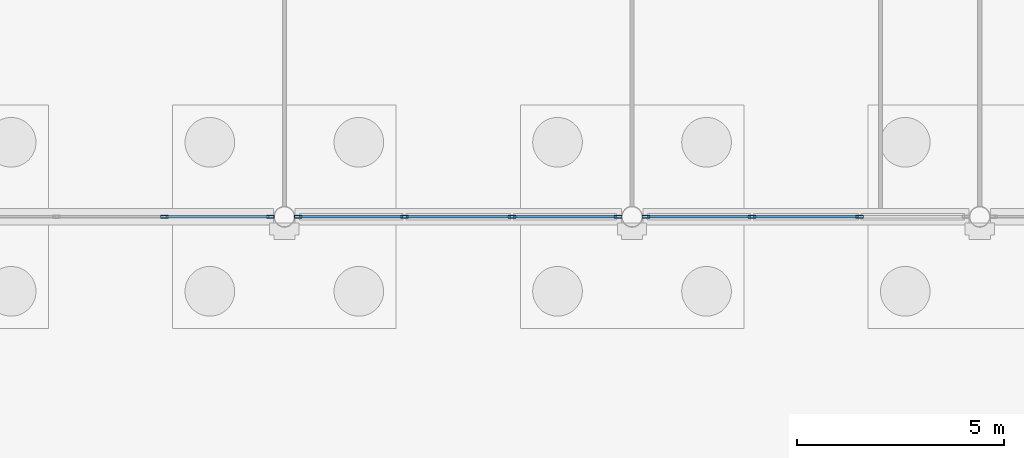
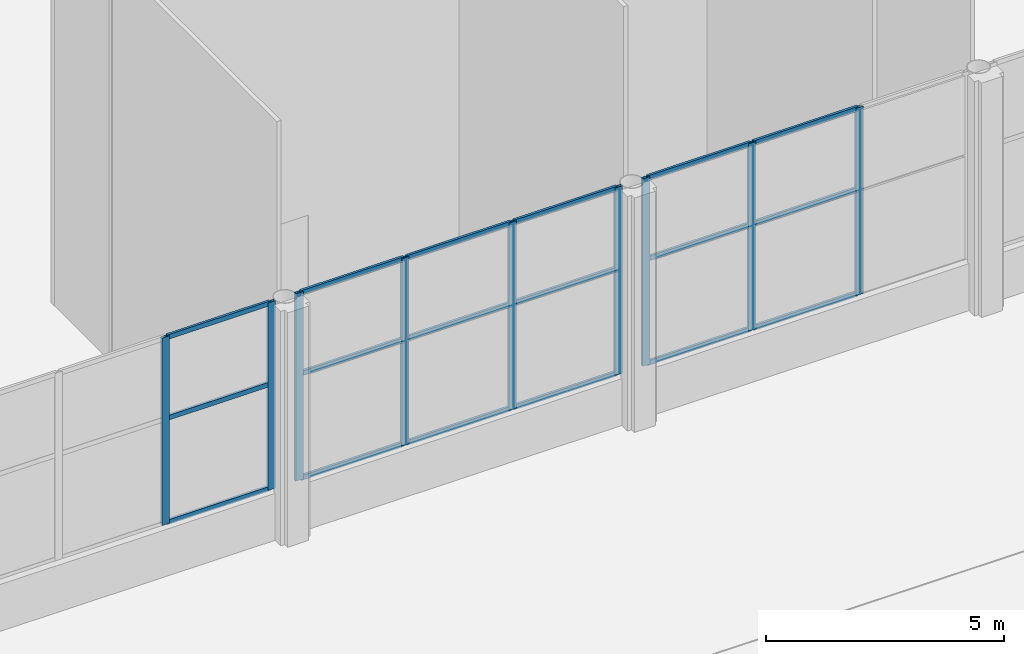
# One storey, part 95 of 212: 27 members, 3 elements without a shape of their own.
"""IFC4 building model written with IfcOpenShell, lengths in metres."""

from ifc_helpers import new_model, si_unit, direction, frame, origin, origin_2d, place, context, subcontext, project, spatial, hollow_rectangle, extrude, material, material_profile, profile_set, type_object, element, aggregate, save


model = new_model("IFC4")

# Units and contexts
model_context = context("Model", 3, precision=1e-05, world=origin(), true_north=direction((0.0, 1.0)))
body_context = subcontext(model_context, "Body", "Model", "MODEL_VIEW")
ifc_project = project(units=[si_unit("LENGTHUNIT", "METRE"), si_unit("AREAUNIT", "SQUARE_METRE"), si_unit("VOLUMEUNIT", "CUBIC_METRE"), si_unit("PLANEANGLEUNIT", "RADIAN"), si_unit("MASSUNIT", "GRAM", prefix="KILO")], contexts=[model_context])

# Site, building, storey
site_placement = place(None, origin())
site = spatial("IfcSite", under=ifc_project, at=site_placement, CompositionType="ELEMENT")
building_placement = place(site_placement, origin())
building = spatial("IfcBuilding", under=site, at=building_placement, Name="Catenary Quay Ferry Terminal", CompositionType="ELEMENT")
storey_placement = place(building_placement, origin())
storey = spatial("IfcBuildingStorey", under=building, at=storey_placement, Name="L00", CompositionType="ELEMENT", Elevation=0.0)

# Curtain wall, members
ifc_material_1 = material(Name="Aluminium and glass", Category="aluminium")
curtain_wall_type_1 = type_object("IfcCurtainWallType", Name="CWH", PredefinedType="NOTDEFINED", material=ifc_material_1)
curtain_wall_1_placement = place(storey_placement, origin())
curtain_wall_1 = element("IfcCurtainWall", 1, at=curtain_wall_1_placement, inside=storey, type_object=curtain_wall_type_1, Name="Hall curtain wall CW22", PredefinedType="NOTDEFINED")
ifc_material_2 = material(Name="Aluminium", Category="aluminium")
ifc_material_profile_1 = material_profile(ifc_material_2, hollow_rectangle(XDim=0.070068359375, YDim=0.179931640625, WallThickness=0.006103515625, at=origin_2d()), Name="MU3")
ifc_profile_set_1 = profile_set([ifc_material_profile_1], Name="Aluminium")
member_type_1 = type_object("IfcMemberType", Name="MU3", PredefinedType="MULLION", material=ifc_profile_set_1)
member_1_placement = place(storey_placement, frame((30.699951171875, 67.199951171875, 1.199951171875), z_axis=(0.0, 0.0, 1.0), x_axis=(0.0, 1.0, 0.0)))
member_1 = element("IfcMember", 2, at=member_1_placement, type_object=member_type_1, Name="CW22 mullion 3", PredefinedType="MULLION", context=body_context, shape_type="SweptSolid", body=[
    extrude(hollow_rectangle(XDim=0.070068359375, YDim=0.179931640625, WallThickness=0.006103515625, at=origin_2d()), origin(), (0.0, 0.0, 1.0), 4.800048828125),
])
member_2_placement = place(storey_placement, frame((33.264892578125, 67.199951171875, 1.199951171875), z_axis=(0.0, 0.0, 1.0), x_axis=(0.0, 1.0, 0.0)))
member_2 = element("IfcMember", 3, at=member_2_placement, type_object=member_type_1, Name="CW22 mullion 4", PredefinedType="MULLION", context=body_context, shape_type="SweptSolid", body=[
    extrude(hollow_rectangle(XDim=0.070068359375, YDim=0.179931640625, WallThickness=0.006103515625, at=origin_2d()), origin(), (0.0, 0.0, 1.0), 4.800048828125),
])

ifc_material_3 = material(Name="Aluminium and glass", Category="aluminium")
curtain_wall_type_2 = type_object("IfcCurtainWallType", Name="CWW4", PredefinedType="NOTDEFINED", material=ifc_material_3)
curtain_wall_2_placement = place(storey_placement, origin())
curtain_wall_2 = element("IfcCurtainWall", 4, at=curtain_wall_2_placement, inside=storey, type_object=curtain_wall_type_2, Name="Hall curtain wall CW23", PredefinedType="NOTDEFINED")
member_3_placement = place(storey_placement, frame((33.93505859375, 67.199951171875, 1.199951171875), z_axis=(0.0, 0.0, 1.0), x_axis=(0.0, 1.0, 0.0)))
member_3 = element("IfcMember", 5, at=member_3_placement, type_object=member_type_1, Name="CW23 mullion 1", PredefinedType="MULLION", context=body_context, shape_type="SweptSolid", body=[
    extrude(hollow_rectangle(XDim=0.070068359375, YDim=0.179931640625, WallThickness=0.006103515625, at=origin_2d()), origin(), (0.0, 0.0, 1.0), 4.800048828125),
])
member_4_placement = place(storey_placement, frame((36.5, 67.199951171875, 1.199951171875), z_axis=(0.0, 0.0, 1.0), x_axis=(0.0, 1.0, 0.0)))
member_4 = element("IfcMember", 6, at=member_4_placement, type_object=member_type_1, Name="CW23 mullion 2", PredefinedType="MULLION", context=body_context, shape_type="SweptSolid", body=[
    extrude(hollow_rectangle(XDim=0.070068359375, YDim=0.179931640625, WallThickness=0.006103515625, at=origin_2d()), origin(), (0.0, 0.0, 1.0), 4.800048828125),
])
member_5_placement = place(storey_placement, frame((39.10009765625, 67.199951171875, 1.199951171875), z_axis=(0.0, 0.0, 1.0), x_axis=(0.0, 1.0, 0.0)))
member_5 = element("IfcMember", 7, at=member_5_placement, type_object=member_type_1, Name="CW23 mullion 3", PredefinedType="MULLION", context=body_context, shape_type="SweptSolid", body=[
    extrude(hollow_rectangle(XDim=0.070068359375, YDim=0.179931640625, WallThickness=0.006103515625, at=origin_2d()), origin(), (0.0, 0.0, 1.0), 4.800048828125),
])
member_6_placement = place(storey_placement, frame((41.6650390625, 67.199951171875, 1.199951171875), z_axis=(0.0, 0.0, 1.0), x_axis=(0.0, 1.0, 0.0)))
member_6 = element("IfcMember", 8, at=member_6_placement, type_object=member_type_1, Name="CW23 mullion 4", PredefinedType="MULLION", context=body_context, shape_type="SweptSolid", body=[
    extrude(hollow_rectangle(XDim=0.070068359375, YDim=0.179931640625, WallThickness=0.006103515625, at=origin_2d()), origin(), (0.0, 0.0, 1.0), 4.800048828125),
])

curtain_wall_3_placement = place(storey_placement, origin())
curtain_wall_3 = element("IfcCurtainWall", 9, at=curtain_wall_3_placement, inside=storey, type_object=curtain_wall_type_2, Name="Hall curtain wall CW24", PredefinedType="NOTDEFINED")
member_7_placement = place(storey_placement, frame((42.3349609375, 67.199951171875, 1.199951171875), z_axis=(0.0, 0.0, 1.0), x_axis=(0.0, 1.0, 0.0)))
member_7 = element("IfcMember", 10, at=member_7_placement, type_object=member_type_1, Name="CW24 mullion 1", PredefinedType="MULLION", context=body_context, shape_type="SweptSolid", body=[
    extrude(hollow_rectangle(XDim=0.070068359375, YDim=0.179931640625, WallThickness=0.006103515625, at=origin_2d()), origin(), (0.0, 0.0, 1.0), 4.800048828125),
])
member_8_placement = place(storey_placement, frame((44.89990234375, 67.199951171875, 1.199951171875), z_axis=(0.0, 0.0, 1.0), x_axis=(0.0, 1.0, 0.0)))
member_8 = element("IfcMember", 11, at=member_8_placement, type_object=member_type_1, Name="CW24 mullion 2", PredefinedType="MULLION", context=body_context, shape_type="SweptSolid", body=[
    extrude(hollow_rectangle(XDim=0.070068359375, YDim=0.179931640625, WallThickness=0.006103515625, at=origin_2d()), origin(), (0.0, 0.0, 1.0), 4.800048828125),
])
member_9_placement = place(storey_placement, frame((47.5, 67.199951171875, 1.199951171875), z_axis=(0.0, 0.0, 1.0), x_axis=(0.0, 1.0, 0.0)))
member_9 = element("IfcMember", 12, at=member_9_placement, type_object=member_type_1, Name="CW24 mullion 3", PredefinedType="MULLION", context=body_context, shape_type="SweptSolid", body=[
    extrude(hollow_rectangle(XDim=0.070068359375, YDim=0.179931640625, WallThickness=0.006103515625, at=origin_2d()), origin(), (0.0, 0.0, 1.0), 4.800048828125),
])

# Member
ifc_material_4 = material(Name="Aluminium", Category="aluminium")
ifc_material_profile_2 = material_profile(ifc_material_4, hollow_rectangle(XDim=0.06005859375, YDim=0.1201171875, WallThickness=0.0048828125, at=origin_2d()), Name="TR3")
ifc_profile_set_2 = profile_set([ifc_material_profile_2], Name="Aluminium")
member_type_2 = type_object("IfcMemberType", Name="TR3", PredefinedType="USERDEFINED", material=ifc_profile_set_2)
member_10_placement = place(storey_placement, frame((30.735107421875, 67.199951171875, 1.22998046875), z_axis=(1.0, 0.0, 0.0), x_axis=(0.0, 1.0, 0.0)))
member_10 = element("IfcMember", 13, at=member_10_placement, type_object=member_type_2, Name="CW22 transom 3.1", ObjectType="TRANSOM", PredefinedType="USERDEFINED", context=body_context, shape_type="SweptSolid", body=[
    extrude(hollow_rectangle(XDim=0.06005859375, YDim=0.1201171875, WallThickness=0.0048828125, at=origin_2d()), origin(), (0.0, 0.0, 1.0), 2.494873046875),
])

member_11_placement = place(storey_placement, frame((30.735107421875, 67.199951171875, 3.89990234375), z_axis=(1.0, 0.0, 0.0), x_axis=(0.0, 1.0, 0.0)))
member_11 = element("IfcMember", 14, at=member_11_placement, type_object=member_type_2, Name="CW22 transom 3.2", ObjectType="TRANSOM", PredefinedType="USERDEFINED", context=body_context, shape_type="SweptSolid", body=[
    extrude(hollow_rectangle(XDim=0.06005859375, YDim=0.1201171875, WallThickness=0.0048828125, at=origin_2d()), origin(), (0.0, 0.0, 1.0), 2.494873046875),
])

member_12_placement = place(storey_placement, frame((30.735107421875, 67.199951171875, 5.969970703125), z_axis=(1.0, 0.0, 0.0), x_axis=(0.0, 1.0, 0.0)))
member_12 = element("IfcMember", 15, at=member_12_placement, type_object=member_type_2, Name="CW22 transom 3.3", ObjectType="TRANSOM", PredefinedType="USERDEFINED", context=body_context, shape_type="SweptSolid", body=[
    extrude(hollow_rectangle(XDim=0.06005859375, YDim=0.1201171875, WallThickness=0.0048828125, at=origin_2d()), origin(), (0.0, 0.0, 1.0), 2.494873046875),
])

aggregate(curtain_wall_1, [member_1, member_2, member_10, member_11, member_12])

member_13_placement = place(storey_placement, frame((33.969970703125, 67.199951171875, 1.22998046875), z_axis=(1.0, 0.0, 0.0), x_axis=(0.0, 1.0, 0.0)))
member_13 = element("IfcMember", 16, at=member_13_placement, type_object=member_type_2, Name="CW23 transom 1.1", ObjectType="TRANSOM", PredefinedType="USERDEFINED", context=body_context, shape_type="SweptSolid", body=[
    extrude(hollow_rectangle(XDim=0.06005859375, YDim=0.1201171875, WallThickness=0.0048828125, at=origin_2d()), origin(), (0.0, 0.0, 1.0), 2.4951171875),
])

member_14_placement = place(storey_placement, frame((33.969970703125, 67.199951171875, 3.89990234375), z_axis=(1.0, 0.0, 0.0), x_axis=(0.0, 1.0, 0.0)))
member_14 = element("IfcMember", 17, at=member_14_placement, type_object=member_type_2, Name="CW23 transom 1.2", ObjectType="TRANSOM", PredefinedType="USERDEFINED", context=body_context, shape_type="SweptSolid", body=[
    extrude(hollow_rectangle(XDim=0.06005859375, YDim=0.1201171875, WallThickness=0.0048828125, at=origin_2d()), origin(), (0.0, 0.0, 1.0), 2.4951171875),
])

member_15_placement = place(storey_placement, frame((33.969970703125, 67.199951171875, 5.969970703125), z_axis=(1.0, 0.0, 0.0), x_axis=(0.0, 1.0, 0.0)))
member_15 = element("IfcMember", 18, at=member_15_placement, type_object=member_type_2, Name="CW23 transom 1.3", ObjectType="TRANSOM", PredefinedType="USERDEFINED", context=body_context, shape_type="SweptSolid", body=[
    extrude(hollow_rectangle(XDim=0.06005859375, YDim=0.1201171875, WallThickness=0.0048828125, at=origin_2d()), origin(), (0.0, 0.0, 1.0), 2.4951171875),
])

member_16_placement = place(storey_placement, frame((36.534912109375, 67.199951171875, 1.22998046875), z_axis=(1.0, 0.0, 0.0), x_axis=(0.0, 1.0, 0.0)))
member_16 = element("IfcMember", 19, at=member_16_placement, type_object=member_type_2, Name="CW23 transom 2.1", ObjectType="TRANSOM", PredefinedType="USERDEFINED", context=body_context, shape_type="SweptSolid", body=[
    extrude(hollow_rectangle(XDim=0.06005859375, YDim=0.1201171875, WallThickness=0.0048828125, at=origin_2d()), origin(), (0.0, 0.0, 1.0), 2.530029296875),
])

member_17_placement = place(storey_placement, frame((36.534912109375, 67.199951171875, 3.89990234375), z_axis=(1.0, 0.0, 0.0), x_axis=(0.0, 1.0, 0.0)))
member_17 = element("IfcMember", 20, at=member_17_placement, type_object=member_type_2, Name="CW23 transom 2.2", ObjectType="TRANSOM", PredefinedType="USERDEFINED", context=body_context, shape_type="SweptSolid", body=[
    extrude(hollow_rectangle(XDim=0.06005859375, YDim=0.1201171875, WallThickness=0.0048828125, at=origin_2d()), origin(), (0.0, 0.0, 1.0), 2.530029296875),
])

member_18_placement = place(storey_placement, frame((36.534912109375, 67.199951171875, 5.969970703125), z_axis=(1.0, 0.0, 0.0), x_axis=(0.0, 1.0, 0.0)))
member_18 = element("IfcMember", 21, at=member_18_placement, type_object=member_type_2, Name="CW23 transom 2.3", ObjectType="TRANSOM", PredefinedType="USERDEFINED", context=body_context, shape_type="SweptSolid", body=[
    extrude(hollow_rectangle(XDim=0.06005859375, YDim=0.1201171875, WallThickness=0.0048828125, at=origin_2d()), origin(), (0.0, 0.0, 1.0), 2.530029296875),
])

member_19_placement = place(storey_placement, frame((39.135009765625, 67.199951171875, 1.22998046875), z_axis=(1.0, 0.0, 0.0), x_axis=(0.0, 1.0, 0.0)))
member_19 = element("IfcMember", 22, at=member_19_placement, type_object=member_type_2, Name="CW23 transom 3.1", ObjectType="TRANSOM", PredefinedType="USERDEFINED", context=body_context, shape_type="SweptSolid", body=[
    extrude(hollow_rectangle(XDim=0.06005859375, YDim=0.1201171875, WallThickness=0.0048828125, at=origin_2d()), origin(), (0.0, 0.0, 1.0), 2.494873046875),
])

member_20_placement = place(storey_placement, frame((39.135009765625, 67.199951171875, 3.89990234375), z_axis=(1.0, 0.0, 0.0), x_axis=(0.0, 1.0, 0.0)))
member_20 = element("IfcMember", 23, at=member_20_placement, type_object=member_type_2, Name="CW23 transom 3.2", ObjectType="TRANSOM", PredefinedType="USERDEFINED", context=body_context, shape_type="SweptSolid", body=[
    extrude(hollow_rectangle(XDim=0.06005859375, YDim=0.1201171875, WallThickness=0.0048828125, at=origin_2d()), origin(), (0.0, 0.0, 1.0), 2.494873046875),
])

member_21_placement = place(storey_placement, frame((39.135009765625, 67.199951171875, 5.969970703125), z_axis=(1.0, 0.0, 0.0), x_axis=(0.0, 1.0, 0.0)))
member_21 = element("IfcMember", 24, at=member_21_placement, type_object=member_type_2, Name="CW23 transom 3.3", ObjectType="TRANSOM", PredefinedType="USERDEFINED", context=body_context, shape_type="SweptSolid", body=[
    extrude(hollow_rectangle(XDim=0.06005859375, YDim=0.1201171875, WallThickness=0.0048828125, at=origin_2d()), origin(), (0.0, 0.0, 1.0), 2.494873046875),
])

aggregate(curtain_wall_2, [member_3, member_4, member_5, member_6, member_13, member_14, member_15, member_16, member_17, member_18, member_19, member_20, member_21])

member_22_placement = place(storey_placement, frame((42.3701171875, 67.199951171875, 1.22998046875), z_axis=(1.0, 0.0, 0.0), x_axis=(0.0, 1.0, 0.0)))
member_22 = element("IfcMember", 25, at=member_22_placement, type_object=member_type_2, Name="CW24 transom 1.1", ObjectType="TRANSOM", PredefinedType="USERDEFINED", context=body_context, shape_type="SweptSolid", body=[
    extrude(hollow_rectangle(XDim=0.06005859375, YDim=0.1201171875, WallThickness=0.0048828125, at=origin_2d()), origin(), (0.0, 0.0, 1.0), 2.494873046875),
])

member_23_placement = place(storey_placement, frame((42.3701171875, 67.199951171875, 3.89990234375), z_axis=(1.0, 0.0, 0.0), x_axis=(0.0, 1.0, 0.0)))
member_23 = element("IfcMember", 26, at=member_23_placement, type_object=member_type_2, Name="CW24 transom 1.2", ObjectType="TRANSOM", PredefinedType="USERDEFINED", context=body_context, shape_type="SweptSolid", body=[
    extrude(hollow_rectangle(XDim=0.06005859375, YDim=0.1201171875, WallThickness=0.0048828125, at=origin_2d()), origin(), (0.0, 0.0, 1.0), 2.494873046875),
])

member_24_placement = place(storey_placement, frame((42.3701171875, 67.199951171875, 5.969970703125), z_axis=(1.0, 0.0, 0.0), x_axis=(0.0, 1.0, 0.0)))
member_24 = element("IfcMember", 27, at=member_24_placement, type_object=member_type_2, Name="CW24 transom 1.3", ObjectType="TRANSOM", PredefinedType="USERDEFINED", context=body_context, shape_type="SweptSolid", body=[
    extrude(hollow_rectangle(XDim=0.06005859375, YDim=0.1201171875, WallThickness=0.0048828125, at=origin_2d()), origin(), (0.0, 0.0, 1.0), 2.494873046875),
])

member_25_placement = place(storey_placement, frame((44.93505859375, 67.199951171875, 1.22998046875), z_axis=(1.0, 0.0, 0.0), x_axis=(0.0, 1.0, 0.0)))
member_25 = element("IfcMember", 28, at=member_25_placement, type_object=member_type_2, Name="CW24 transom 2.1", ObjectType="TRANSOM", PredefinedType="USERDEFINED", context=body_context, shape_type="SweptSolid", body=[
    extrude(hollow_rectangle(XDim=0.06005859375, YDim=0.1201171875, WallThickness=0.0048828125, at=origin_2d()), origin(), (0.0, 0.0, 1.0), 2.530029296875),
])

member_26_placement = place(storey_placement, frame((44.93505859375, 67.199951171875, 3.89990234375), z_axis=(1.0, 0.0, 0.0), x_axis=(0.0, 1.0, 0.0)))
member_26 = element("IfcMember", 29, at=member_26_placement, type_object=member_type_2, Name="CW24 transom 2.2", ObjectType="TRANSOM", PredefinedType="USERDEFINED", context=body_context, shape_type="SweptSolid", body=[
    extrude(hollow_rectangle(XDim=0.06005859375, YDim=0.1201171875, WallThickness=0.0048828125, at=origin_2d()), origin(), (0.0, 0.0, 1.0), 2.530029296875),
])

member_27_placement = place(storey_placement, frame((44.93505859375, 67.199951171875, 5.969970703125), z_axis=(1.0, 0.0, 0.0), x_axis=(0.0, 1.0, 0.0)))
member_27 = element("IfcMember", 30, at=member_27_placement, type_object=member_type_2, Name="CW24 transom 2.3", ObjectType="TRANSOM", PredefinedType="USERDEFINED", context=body_context, shape_type="SweptSolid", body=[
    extrude(hollow_rectangle(XDim=0.06005859375, YDim=0.1201171875, WallThickness=0.0048828125, at=origin_2d()), origin(), (0.0, 0.0, 1.0), 2.530029296875),
])

aggregate(curtain_wall_3, [member_7, member_8, member_9, member_22, member_23, member_24, member_25, member_26, member_27])

save(model, "model.ifc")
